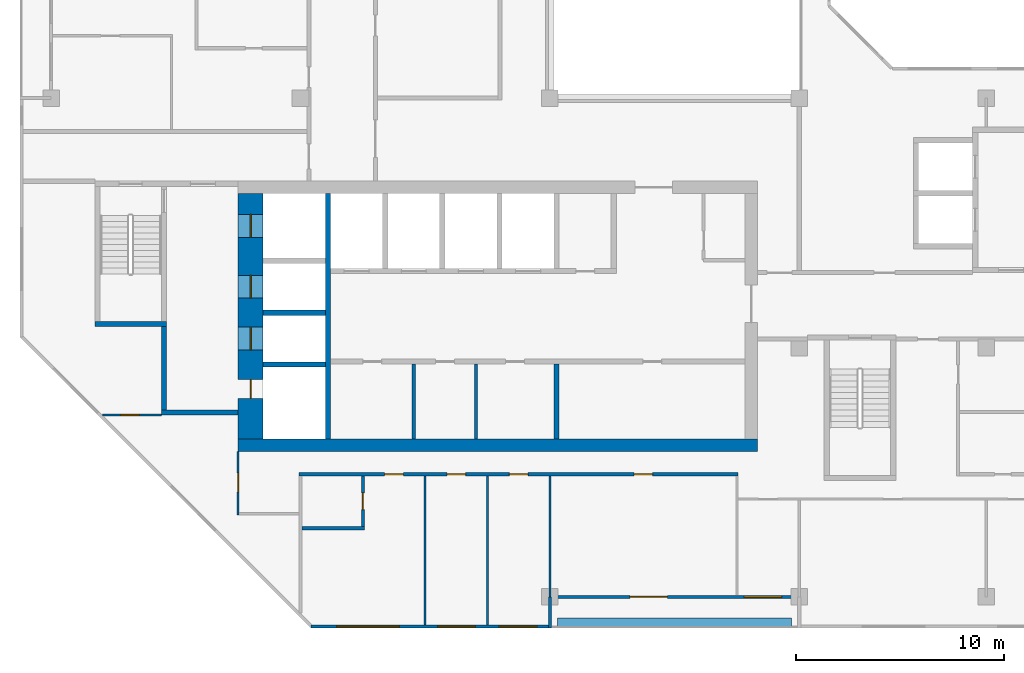
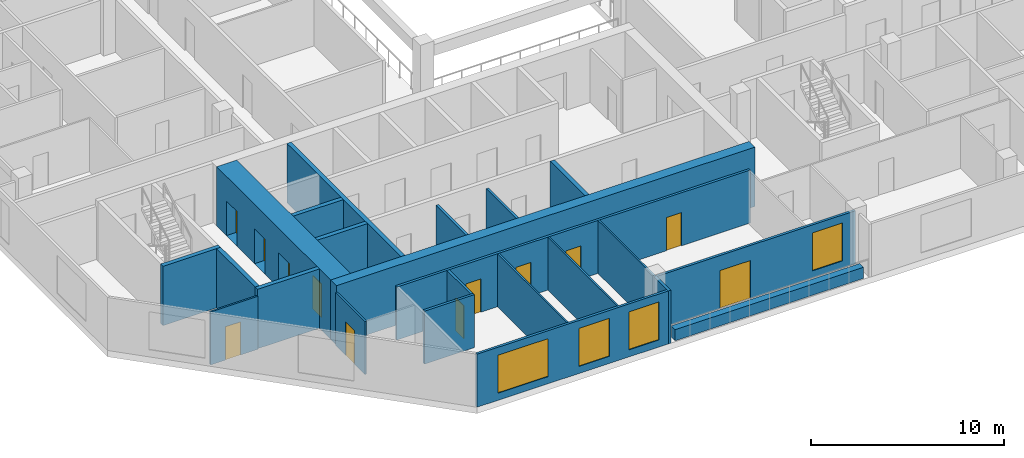
# One storey, part 4 of 13: 23 walls, 12 doors, 4 windows, 16 openings.
"""IFC4 building model written with IfcOpenShell, lengths in metres."""

from ifc_helpers import new_model, si_unit, direction, frame, frame_2d, origin, place, context, subcontext, project, spatial, rectangle, extrude, material, layer, layer_set, type_object, element, fill, save


model = new_model("IFC4")

# Units and contexts
model_context = context("Model", 3, precision=1e-05, world=origin(), true_north=direction((0.0, 1.0)))
body_context = subcontext(model_context, "Body", "Model", "MODEL_VIEW")
ifc_project = project(units=[si_unit("LENGTHUNIT", "METRE"), si_unit("AREAUNIT", "SQUARE_METRE"), si_unit("VOLUMEUNIT", "CUBIC_METRE"), si_unit("PLANEANGLEUNIT", "RADIAN"), si_unit("MASSUNIT", "GRAM", prefix="KILO")], contexts=[model_context])

# Site, building, storey
site_placement = place(None, origin())
site = spatial("IfcSite", under=ifc_project, at=site_placement, CompositionType="ELEMENT")
building_placement = place(site_placement, origin())
building = spatial("IfcBuilding", under=site, at=building_placement, Name="Chenar Terraces", CompositionType="ELEMENT")
storey_placement = place(building_placement, frame((0.0, 0.0, 307.14990234375)))
storey = spatial("IfcBuildingStorey", under=building, at=storey_placement, Name="L72", CompositionType="ELEMENT", Elevation=307.14990234375)

# Walls
ifc_material_1 = material(Name="Gypsum board on steel studs", Category="steel")
ifc_layer_1 = layer(ifc_material_1, 0.14990234375)
ifc_layer_set_1 = layer_set([ifc_layer_1], Name="Gypsum board on steel studs")
wall_type_1 = type_object("IfcWallType", Name="Core partition 150 gypsum board", PredefinedType="PARTITIONING", material=ifc_layer_set_1)
for number, where, z_axis, x_axis, name in (
    (1, (17.449951171875, 7.60009765625, 0.0), (0.0, 0.0, 1.0), (0.0, 1.0, 0.0), "Core partition CP1 freed bay wall"),
    (2, (20.449951171875, 7.60009765625, 0.0), (0.0, 0.0, 1.0), (0.0, 1.0, 0.0), "Core partition CP1 freed bay wall"),
):
    element("IfcWall", number, at=place(storey_placement, frame(where, z_axis=z_axis, x_axis=x_axis)), inside=storey, type_object=wall_type_1, Name=name, PredefinedType="PARTITIONING", context=body_context, shape_type="SweptSolid", body=[
        extrude(rectangle(XDim=3.599853515625, YDim=0.14990234375, at=frame_2d((1.7998046875, 0.0))), origin(), (0.0, 0.0, 1.0), 3.35009765625),
    ])

# Wall, openings, doors
ifc_material_2 = material(Name="Concrete C50/60", Category="concrete")
ifc_layer_2 = layer(ifc_material_2, 1.199951171875)
ifc_layer_set_2 = layer_set([ifc_layer_2], Name="Concrete C50/60")
wall_type_2 = type_object("IfcWallType", Name="Core wall 1200 Concrete C50/60", PredefinedType="SHEAR", material=ifc_layer_set_2)
wall_1_placement = place(storey_placement, frame((9.60009765625, 7.60009765625, 0.0), z_axis=(0.0, 0.0, 1.0), x_axis=(0.0, 1.0, 0.0)))
wall_1 = element("IfcWall", 3, at=wall_1_placement, inside=storey, type_object=wall_type_2, Name="Core wall W L72", PredefinedType="SHEAR", context=body_context, shape_type="SweptSolid", body=[
    extrude(rectangle(XDim=11.7998046875, YDim=1.199951171875, at=frame_2d((5.89990234375, 0.0))), origin(), (0.0, 0.0, 1.0), 3.75),
])
opening_1_placement = place(wall_1_placement, frame((4.27490234375, 0.0, 0.0)))
opening_1 = element("IfcOpeningElement", 4, at=opening_1_placement, cuts=wall_1, Name="Opening DL72-LD5", PredefinedType="OPENING", context=body_context, shape_type="SweptSolid", body=[
    extrude(rectangle(XDim=1.10009765625, YDim=2.199951171875, at=frame_2d((0.550048828125, 1.10009765625))), frame((0.0, 0.60986328125, 0.0), z_axis=(0.0, -1.0, 0.0), x_axis=(1.0, 0.0, 0.0)), (0.0, 0.0, 1.0), 1.219970703125),
])
opening_2_placement = place(wall_1_placement, frame((6.77490234375, 0.0, 0.0)))
opening_2 = element("IfcOpeningElement", 5, at=opening_2_placement, cuts=wall_1, Name="Opening DL72-LD6", PredefinedType="OPENING", context=body_context, shape_type="SweptSolid", body=[
    extrude(rectangle(XDim=1.10009765625, YDim=2.199951171875, at=frame_2d((0.550048828125, 1.10009765625))), frame((0.0, 0.60986328125, 0.0), z_axis=(0.0, -1.0, 0.0), x_axis=(1.0, 0.0, 0.0)), (0.0, 0.0, 1.0), 1.219970703125),
])
opening_3_placement = place(wall_1_placement, frame((9.699951171875, 0.0, 0.0)))
opening_3 = element("IfcOpeningElement", 6, at=opening_3_placement, cuts=wall_1, Name="Opening DL72-LD7", PredefinedType="OPENING", context=body_context, shape_type="SweptSolid", body=[
    extrude(rectangle(XDim=1.10009765625, YDim=2.199951171875, at=frame_2d((0.550048828125, 1.10009765625))), frame((0.0, 0.60986328125, 0.0), z_axis=(0.0, -1.0, 0.0), x_axis=(1.0, 0.0, 0.0)), (0.0, 0.0, 1.0), 1.219970703125),
])
opening_4_placement = place(wall_1_placement, frame((1.949951171875, 0.0, 0.0)))
opening_4 = element("IfcOpeningElement", 7, at=opening_4_placement, cuts=wall_1, Name="Opening DL72-C4", PredefinedType="OPENING", context=body_context, shape_type="SweptSolid", body=[
    extrude(rectangle(XDim=0.89990234375, YDim=2.10009765625, at=frame_2d((0.449951171875, 1.050048828125))), frame((0.0, 0.60986328125, 0.0), z_axis=(0.0, -1.0, 0.0), x_axis=(1.0, 0.0, 0.0)), (0.0, 0.0, 1.0), 1.219970703125),
])
ifc_material_3 = material(Name="Stainless steel", Category="steel")
door_type_1 = type_object("IfcDoorType", Name="Lift landing door 1100 x 2200 sliding", OperationType="DOUBLE_DOOR_SLIDING", PredefinedType="DOOR", material=ifc_material_3)
door_1_placement = place(opening_1_placement, origin())
door_1 = element("IfcDoor", 8, at=door_1_placement, inside=storey, type_object=door_type_1, Name="Landing door S1", OperationType="DOUBLE_DOOR_SLIDING", OverallHeight=2.199951171875, OverallWidth=1.10009765625, PredefinedType="DOOR", context=body_context, shape_type="SweptSolid", body=[
    extrude(rectangle(XDim=1.10009765625, YDim=2.199951171875, at=frame_2d((0.550048828125, 1.10009765625))), frame((0.0, 0.02490234375, 0.0), z_axis=(0.0, -1.0, 0.0), x_axis=(1.0, 0.0, 0.0)), (0.0, 0.0, 1.0), 0.050048828125),
])
fill(opening_1, door_1)
door_2_placement = place(opening_2_placement, origin())
door_2 = element("IfcDoor", 9, at=door_2_placement, inside=storey, type_object=door_type_1, Name="Landing door F1", OperationType="DOUBLE_DOOR_SLIDING", OverallHeight=2.199951171875, OverallWidth=1.10009765625, PredefinedType="DOOR", context=body_context, shape_type="SweptSolid", body=[
    extrude(rectangle(XDim=1.10009765625, YDim=2.199951171875, at=frame_2d((0.550048828125, 1.10009765625))), frame((0.0, 0.02490234375, 0.0), z_axis=(0.0, -1.0, 0.0), x_axis=(1.0, 0.0, 0.0)), (0.0, 0.0, 1.0), 0.050048828125),
])
fill(opening_2, door_2)
door_3_placement = place(opening_3_placement, origin())
door_3 = element("IfcDoor", 10, at=door_3_placement, inside=storey, type_object=door_type_1, Name="Landing door F2", OperationType="DOUBLE_DOOR_SLIDING", OverallHeight=2.199951171875, OverallWidth=1.10009765625, PredefinedType="DOOR", context=body_context, shape_type="SweptSolid", body=[
    extrude(rectangle(XDim=1.10009765625, YDim=2.199951171875, at=frame_2d((0.550048828125, 1.10009765625))), frame((0.0, 0.02490234375, 0.0), z_axis=(0.0, -1.0, 0.0), x_axis=(1.0, 0.0, 0.0)), (0.0, 0.0, 1.0), 0.050048828125),
])
fill(opening_3, door_3)
ifc_material_4 = material(Name="Steel-framed fire-resisting door leaf", Category="steel")
door_type_2 = type_object("IfcDoorType", Name="Riser fire door FD60 900 x 2100", OperationType="SINGLE_SWING_LEFT", PredefinedType="DOOR", material=ifc_material_4)
door_4_placement = place(opening_4_placement, frame((0.89990234375, 0.0, 0.0), z_axis=(0.0, 0.0, 1.0), x_axis=(-1.0, 0.0, 0.0)))
door_4 = element("IfcDoor", 11, at=door_4_placement, inside=storey, type_object=door_type_2, Name="Riser door DL72-C4", OperationType="SINGLE_SWING_LEFT", OverallHeight=2.10009765625, OverallWidth=0.89990234375, PredefinedType="DOOR", context=body_context, shape_type="SweptSolid", body=[
    extrude(rectangle(XDim=0.89990234375, YDim=2.10009765625, at=frame_2d((0.449951171875, 1.050048828125))), frame((0.0, 0.02490234375, 0.0), z_axis=(0.0, -1.0, 0.0), x_axis=(1.0, 0.0, 0.0)), (0.0, 0.0, 1.0), 0.050048828125),
])
fill(opening_4, door_4)

# Walls
ifc_material_5 = material(Name="Concrete C50/60", Category="concrete")
ifc_layer_3 = layer(ifc_material_5, 0.25)
ifc_layer_set_3 = layer_set([ifc_layer_3], Name="Concrete C50/60")
wall_type_3 = type_object("IfcWallType", Name="Core wall 250 Concrete C50/60", PredefinedType="SHEAR", material=ifc_layer_set_3)
wall_2_placement = place(storey_placement, frame((13.324951171875, 7.60009765625, 0.0), z_axis=(0.0, 0.0, 1.0), x_axis=(0.0, 1.0, 0.0)))
element("IfcWall", 12, at=wall_2_placement, inside=storey, type_object=wall_type_3, Name="Core wall WI L72", PredefinedType="SHEAR", context=body_context, shape_type="SweptSolid", body=[
    extrude(rectangle(XDim=11.7998046875, YDim=0.25, at=frame_2d((5.89990234375, 0.0))), origin(), (0.0, 0.0, 1.0), 3.75),
])
for number, where, z_axis, x_axis, name in (
    (13, (10.199951171875, 11.175048828125, 0.0), (0.0, 0.0, 1.0), (1.0, 0.0, 0.0), "Core wall HW0 L72"),
    (14, (10.199951171875, 13.675048828125, 0.0), (0.0, 0.0, 1.0), (1.0, 0.0, 0.0), "Core wall HW1 L72"),
):
    element("IfcWall", number, at=place(storey_placement, frame(where, z_axis=z_axis, x_axis=x_axis)), inside=storey, type_object=wall_type_3, Name=name, PredefinedType="SHEAR", context=body_context, shape_type="SweptSolid", body=[
        extrude(rectangle(XDim=3.0, YDim=0.25, at=frame_2d((1.5, 0.0))), origin(), (0.0, 0.0, 1.0), 3.75),
    ])
wall_3_placement = place(storey_placement, frame((24.324951171875, 7.60009765625, 0.0), z_axis=(0.0, 0.0, 1.0), x_axis=(0.0, 1.0, 0.0)))
element("IfcWall", 15, at=wall_3_placement, inside=storey, type_object=wall_type_3, Name="Core wall SS3 L72", PredefinedType="SHEAR", context=body_context, shape_type="SweptSolid", body=[
    extrude(rectangle(XDim=3.599853515625, YDim=0.25, at=frame_2d((1.7998046875, 0.0))), origin(), (0.0, 0.0, 1.0), 3.75),
])
wall_4_placement = place(storey_placement, frame((2.10009765625, 13.125, 0.0), z_axis=(0.0, 0.0, 1.0), x_axis=(1.0, 0.0, 0.0)))
element("IfcWall", 16, at=wall_4_placement, inside=storey, type_object=wall_type_3, Name="Core wall ST1_S L72", PredefinedType="SHEAR", context=body_context, shape_type="SweptSolid", body=[
    extrude(rectangle(XDim=3.449951171875, YDim=0.25, at=frame_2d((1.72509765625, 0.0))), origin(), (0.0, 0.0, 1.0), 3.75),
])
wall_5_placement = place(storey_placement, frame((5.300048828125, 8.875, 0.0), z_axis=(0.0, 0.0, 1.0), x_axis=(1.0, 0.0, 0.0)))
element("IfcWall", 17, at=wall_5_placement, inside=storey, type_object=wall_type_3, Name="Core wall FFL_S L72", PredefinedType="SHEAR", context=body_context, shape_type="SweptSolid", body=[
    extrude(rectangle(XDim=3.699951171875, YDim=0.25, at=frame_2d((1.85009765625, 0.0))), origin(), (0.0, 0.0, 1.0), 3.75),
])
wall_6_placement = place(storey_placement, frame((5.425048828125, 9.0, 0.0), z_axis=(0.0, 0.0, 1.0), x_axis=(0.0, 1.0, 0.0)))
element("IfcWall", 18, at=wall_6_placement, inside=storey, type_object=wall_type_3, Name="Core wall FFL_W L72", PredefinedType="SHEAR", context=body_context, shape_type="SweptSolid", body=[
    extrude(rectangle(XDim=4.0, YDim=0.25, at=frame_2d((2.0, 0.0))), origin(), (0.0, 0.0, 1.0), 3.75),
])
ifc_material_6 = material(Name="Concrete C50/60", Category="concrete")
ifc_layer_4 = layer(ifc_material_6, 0.60009765625)
ifc_layer_set_4 = layer_set([ifc_layer_4], Name="Concrete C50/60")
wall_type_4 = type_object("IfcWallType", Name="Core wall 600 Concrete C50/60", PredefinedType="SHEAR", material=ifc_layer_set_4)
wall_7_placement = place(storey_placement, frame((9.0, 7.300048828125, 0.0), z_axis=(0.0, 0.0, 1.0), x_axis=(1.0, 0.0, 0.0)))
element("IfcWall", 19, at=wall_7_placement, inside=storey, type_object=wall_type_4, Name="Core wall S L72", PredefinedType="SHEAR", context=body_context, shape_type="SweptSolid", body=[
    extrude(rectangle(XDim=25.0, YDim=0.60009765625, at=frame_2d((12.5, 0.0))), origin(), (0.0, 0.0, 1.0), 3.75),
])

# Wall, openings, windows
ifc_material_7 = material(Name="Aluminium framed glazing", Category="aluminium")
ifc_layer_5 = layer(ifc_material_7, 0.14990234375)
ifc_layer_set_5 = layer_set([ifc_layer_5], Name="Aluminium framed glazing")
wall_type_5 = type_object("IfcWallType", Name="Glazed flush facade wall 150", PredefinedType="SOLIDWALL", material=ifc_layer_set_5)
wall_8_placement = place(storey_placement, frame((12.5, -1.425048828125, 0.0), z_axis=(0.0, 0.0, 1.0), x_axis=(1.0, 0.0, 0.0)))
wall_8 = element("IfcWall", 20, at=wall_8_placement, inside=storey, type_object=wall_type_5, Name="Glazed flush facade wall", PredefinedType="SOLIDWALL", context=body_context, shape_type="SweptSolid", body=[
    extrude(rectangle(XDim=11.425048828125, YDim=0.14990234375, at=frame_2d((5.71240234375, 0.0))), origin(), (0.0, 0.0, 1.0), 3.35009765625),
])
opening_5_placement = place(wall_8_placement, frame((1.25, 0.0, 0.449951171875)))
opening_5 = element("IfcOpeningElement", 21, at=opening_5_placement, cuts=wall_8, Name="Opening W300x240", PredefinedType="OPENING", context=body_context, shape_type="SweptSolid", body=[
    extrude(rectangle(XDim=3.0, YDim=2.39990234375, at=frame_2d((1.5, 1.199951171875))), frame((0.0, 0.0849609375, 0.0), z_axis=(0.0, -1.0, 0.0), x_axis=(1.0, 0.0, 0.0)), (0.0, 0.0, 1.0), 0.169921875),
])
opening_6_placement = place(wall_8_placement, frame((6.10009765625, 0.0, 0.449951171875)))
opening_6 = element("IfcOpeningElement", 22, at=opening_6_placement, cuts=wall_8, Name="Opening W180x240", PredefinedType="OPENING", context=body_context, shape_type="SweptSolid", body=[
    extrude(rectangle(XDim=1.800048828125, YDim=2.39990234375, at=frame_2d((0.89990234375, 1.199951171875))), frame((0.0, 0.0849609375, 0.0), z_axis=(0.0, -1.0, 0.0), x_axis=(1.0, 0.0, 0.0)), (0.0, 0.0, 1.0), 0.169921875),
])
opening_7_placement = place(wall_8_placement, frame((9.0625, 0.0, 0.449951171875)))
opening_7 = element("IfcOpeningElement", 23, at=opening_7_placement, cuts=wall_8, Name="Opening W180x240", PredefinedType="OPENING", context=body_context, shape_type="SweptSolid", body=[
    extrude(rectangle(XDim=1.800048828125, YDim=2.39990234375, at=frame_2d((0.89990234375, 1.199951171875))), frame((0.0, 0.0849609375, 0.0), z_axis=(0.0, -1.0, 0.0), x_axis=(1.0, 0.0, 0.0)), (0.0, 0.0, 1.0), 0.169921875),
])
ifc_material_8 = material(Name="Low emissivity double glazing, aluminium frame", Category="aluminium")
window_type_1 = type_object("IfcWindowType", Name="Fixed light 1800 x 2400", PartitioningType="SINGLE_PANEL", PredefinedType="WINDOW", material=ifc_material_8)
window_1_placement = place(opening_6_placement, origin())
window_1 = element("IfcWindow", 24, at=window_1_placement, inside=storey, type_object=window_type_1, Name="Window", OverallHeight=2.39990234375, OverallWidth=1.800048828125, PartitioningType="SINGLE_PANEL", PredefinedType="WINDOW", context=body_context, shape_type="SweptSolid", body=[
    extrude(rectangle(XDim=1.800048828125, YDim=2.39990234375, at=frame_2d((0.89990234375, 1.199951171875))), frame((0.0, 0.030029296875, 0.0), z_axis=(0.0, -1.0, 0.0), x_axis=(1.0, 0.0, 0.0)), (0.0, 0.0, 1.0), 0.06005859375),
])
fill(opening_6, window_1)
window_2_placement = place(opening_7_placement, origin())
window_2 = element("IfcWindow", 25, at=window_2_placement, inside=storey, type_object=window_type_1, Name="Window", OverallHeight=2.39990234375, OverallWidth=1.800048828125, PartitioningType="SINGLE_PANEL", PredefinedType="WINDOW", context=body_context, shape_type="SweptSolid", body=[
    extrude(rectangle(XDim=1.800048828125, YDim=2.39990234375, at=frame_2d((0.89990234375, 1.199951171875))), frame((0.0, 0.030029296875, 0.0), z_axis=(0.0, -1.0, 0.0), x_axis=(1.0, 0.0, 0.0)), (0.0, 0.0, 1.0), 0.06005859375),
])
fill(opening_7, window_2)
ifc_material_9 = material(Name="Low emissivity double glazing, aluminium frame", Category="aluminium")
window_type_2 = type_object("IfcWindowType", Name="Fixed light 3000 x 2400", PartitioningType="SINGLE_PANEL", PredefinedType="WINDOW", material=ifc_material_9)
window_3_placement = place(opening_5_placement, origin())
window_3 = element("IfcWindow", 26, at=window_3_placement, inside=storey, type_object=window_type_2, Name="Window", OverallHeight=2.39990234375, OverallWidth=3.0, PartitioningType="SINGLE_PANEL", PredefinedType="WINDOW", context=body_context, shape_type="SweptSolid", body=[
    extrude(rectangle(XDim=3.0, YDim=2.39990234375, at=frame_2d((1.5, 1.199951171875))), frame((0.0, 0.030029296875, 0.0), z_axis=(0.0, -1.0, 0.0), x_axis=(1.0, 0.0, 0.0)), (0.0, 0.0, 1.0), 0.06005859375),
])
fill(opening_5, window_3)

# Wall, openings, window, door
ifc_material_10 = material(Name="Aluminium framed glazing", Category="aluminium")
ifc_layer_6 = layer(ifc_material_10, 0.14990234375)
ifc_layer_set_6 = layer_set([ifc_layer_6], Name="Aluminium framed glazing")
wall_type_6 = type_object("IfcWallType", Name="Glazed loggia back wall 150", PredefinedType="SOLIDWALL", material=ifc_layer_set_6)
wall_9_placement = place(storey_placement, frame((24.074951171875, 0.0, 0.0), z_axis=(0.0, 0.0, 1.0), x_axis=(1.0, 0.0, 0.0)))
wall_9 = element("IfcWall", 27, at=wall_9_placement, inside=storey, type_object=wall_type_6, Name="Glazed loggia back wall", PredefinedType="SOLIDWALL", context=body_context, shape_type="SweptSolid", body=[
    extrude(rectangle(XDim=11.85009765625, YDim=0.14990234375, at=frame_2d((5.925048828125, 0.0))), origin(), (0.0, 0.0, 1.0), 3.35009765625),
])
opening_8_placement = place(wall_9_placement, frame((3.77490234375, 0.0, 0.0)))
opening_8 = element("IfcOpeningElement", 28, at=opening_8_placement, cuts=wall_9, Name="Opening DL72-G5", PredefinedType="OPENING", context=body_context, shape_type="SweptSolid", body=[
    extrude(rectangle(XDim=1.800048828125, YDim=2.39990234375, at=frame_2d((0.89990234375, 1.199951171875))), frame((0.0, 0.0849609375, 0.0), z_axis=(0.0, -1.0, 0.0), x_axis=(1.0, 0.0, 0.0)), (0.0, 0.0, 1.0), 0.169921875),
])
opening_9_placement = place(wall_9_placement, frame((9.27490234375, 0.0, 0.449951171875)))
opening_9 = element("IfcOpeningElement", 29, at=opening_9_placement, cuts=wall_9, Name="Opening W180x240", PredefinedType="OPENING", context=body_context, shape_type="SweptSolid", body=[
    extrude(rectangle(XDim=1.800048828125, YDim=2.39990234375, at=frame_2d((0.89990234375, 1.199951171875))), frame((0.0, 0.0849609375, 0.0), z_axis=(0.0, -1.0, 0.0), x_axis=(1.0, 0.0, 0.0)), (0.0, 0.0, 1.0), 0.169921875),
])
window_4_placement = place(opening_9_placement, origin())
window_4 = element("IfcWindow", 30, at=window_4_placement, inside=storey, type_object=window_type_1, Name="Window", OverallHeight=2.39990234375, OverallWidth=1.800048828125, PartitioningType="SINGLE_PANEL", PredefinedType="WINDOW", context=body_context, shape_type="SweptSolid", body=[
    extrude(rectangle(XDim=1.800048828125, YDim=2.39990234375, at=frame_2d((0.89990234375, 1.199951171875))), frame((0.0, 0.030029296875, 0.0), z_axis=(0.0, -1.0, 0.0), x_axis=(1.0, 0.0, 0.0)), (0.0, 0.0, 1.0), 0.06005859375),
])
fill(opening_9, window_4)
ifc_material_11 = material(Name="Low emissivity double glazing, aluminium frame", Category="aluminium")
door_type_3 = type_object("IfcDoorType", Name="Loggia glazed double door 1800 x 2400", OperationType="DOUBLE_DOOR_SINGLE_SWING", PredefinedType="DOOR", material=ifc_material_11)
door_5_placement = place(opening_8_placement, frame((1.800048828125, 0.0, 0.0), z_axis=(0.0, 0.0, 1.0), x_axis=(-1.0, 0.0, 0.0)))
door_5 = element("IfcDoor", 31, at=door_5_placement, inside=storey, type_object=door_type_3, Name="Loggia glazed door", OperationType="DOUBLE_DOOR_SINGLE_SWING", OverallHeight=2.39990234375, OverallWidth=1.800048828125, PredefinedType="DOOR", context=body_context, shape_type="SweptSolid", body=[
    extrude(rectangle(XDim=1.800048828125, YDim=2.39990234375, at=frame_2d((0.89990234375, 1.199951171875))), frame((0.0, 0.02490234375, 0.0), z_axis=(0.0, -1.0, 0.0), x_axis=(1.0, 0.0, 0.0)), (0.0, 0.0, 1.0), 0.050048828125),
])
fill(opening_8, door_5)

# Wall, opening, door
ifc_material_12 = material(Name="Gypsum board on steel studs", Category="steel")
ifc_layer_7 = layer(ifc_material_12, 0.10009765625)
ifc_layer_set_7 = layer_set([ifc_layer_7], Name="Gypsum board on steel studs")
wall_type_7 = type_object("IfcWallType", Name="Gypsum partition 100", PredefinedType="PARTITIONING", material=ifc_layer_set_7)
wall_10_placement = place(storey_placement, frame((2.4609375, 8.75, 0.0), z_axis=(0.0, 0.0, 1.0), x_axis=(1.0, 0.0, 0.0)))
wall_10 = element("IfcWall", 32, at=wall_10_placement, inside=storey, type_object=wall_type_7, Name="Partition L72-009", PredefinedType="PARTITIONING", context=body_context, shape_type="SweptSolid", body=[
    extrude(rectangle(XDim=2.839111328125, YDim=0.10009765625, at=frame_2d((1.41943359375, 0.0))), origin(), (0.0, 0.0, 1.0), 3.35009765625),
])
opening_10_placement = place(wall_10_placement, frame((0.888916015625, 0.0, 0.0)))
opening_10 = element("IfcOpeningElement", 33, at=opening_10_placement, cuts=wall_10, Name="Opening DL72-40", PredefinedType="OPENING", context=body_context, shape_type="SweptSolid", body=[
    extrude(rectangle(XDim=0.89990234375, YDim=2.10009765625, at=frame_2d((0.449951171875, 1.050048828125))), frame((0.0, 0.06005859375, 0.0), z_axis=(0.0, -1.0, 0.0), x_axis=(1.0, 0.0, 0.0)), (0.0, 0.0, 1.0), 0.1201171875),
])
ifc_material_13 = material(Name="Veneered timber door leaf", Category="wood")
door_type_4 = type_object("IfcDoorType", Name="Door 900 x 2100", OperationType="SINGLE_SWING_LEFT", PredefinedType="DOOR", material=ifc_material_13)
door_6_placement = place(opening_10_placement, frame((0.89990234375, 0.0, 0.0), z_axis=(0.0, 0.0, 1.0), x_axis=(-1.0, 0.0, 0.0)))
door_6 = element("IfcDoor", 34, at=door_6_placement, inside=storey, type_object=door_type_4, Name="Door DL72-40", OperationType="SINGLE_SWING_RIGHT", OverallHeight=2.10009765625, OverallWidth=0.89990234375, PredefinedType="DOOR", context=body_context, shape_type="SweptSolid", body=[
    extrude(rectangle(XDim=0.89990234375, YDim=2.10009765625, at=frame_2d((0.449951171875, 1.050048828125))), frame((0.0, 0.02490234375, 0.0), z_axis=(0.0, -1.0, 0.0), x_axis=(1.0, 0.0, 0.0)), (0.0, 0.0, 1.0), 0.050048828125),
])
fill(opening_10, door_6)

wall_11_placement = place(storey_placement, frame((9.0, 3.949951171875, 0.0), z_axis=(0.0, 0.0, 1.0), x_axis=(0.0, 1.0, 0.0)))
wall_11 = element("IfcWall", 35, at=wall_11_placement, inside=storey, type_object=wall_type_7, Name="Partition L72-026", PredefinedType="PARTITIONING", context=body_context, shape_type="SweptSolid", body=[
    extrude(rectangle(XDim=3.050048828125, YDim=0.10009765625, at=frame_2d((1.52490234375, 0.0))), origin(), (0.0, 0.0, 1.0), 3.35009765625),
])
opening_11_placement = place(wall_11_placement, frame((1.10009765625, 0.0, 0.0)))
opening_11 = element("IfcOpeningElement", 36, at=opening_11_placement, cuts=wall_11, Name="Opening DL72-39", PredefinedType="OPENING", context=body_context, shape_type="SweptSolid", body=[
    extrude(rectangle(XDim=0.89990234375, YDim=2.10009765625, at=frame_2d((0.449951171875, 1.050048828125))), frame((0.0, 0.06005859375, 0.0), z_axis=(0.0, -1.0, 0.0), x_axis=(1.0, 0.0, 0.0)), (0.0, 0.0, 1.0), 0.1201171875),
])
door_7_placement = place(opening_11_placement, origin())
door_7 = element("IfcDoor", 37, at=door_7_placement, inside=storey, type_object=door_type_4, Name="Door DL72-39", OperationType="SINGLE_SWING_LEFT", OverallHeight=2.10009765625, OverallWidth=0.89990234375, PredefinedType="DOOR", context=body_context, shape_type="SweptSolid", body=[
    extrude(rectangle(XDim=0.89990234375, YDim=2.10009765625, at=frame_2d((0.449951171875, 1.050048828125))), frame((0.0, 0.02490234375, 0.0), z_axis=(0.0, -1.0, 0.0), x_axis=(1.0, 0.0, 0.0)), (0.0, 0.0, 1.0), 0.050048828125),
])
fill(opening_11, door_7)

# Walls
for number, where, z_axis, x_axis, name in (
    (38, (18.0, -1.35107421875, 0.0), (0.0, 0.0, 1.0), (0.0, 1.0, 0.0), "Partition L72-041"),
    (39, (21.0, -1.35107421875, 0.0), (0.0, 0.0, 1.0), (0.0, 1.0, 0.0), "Partition L72-046"),
):
    element("IfcWall", number, at=place(storey_placement, frame(where, z_axis=z_axis, x_axis=x_axis)), inside=storey, type_object=wall_type_7, Name=name, PredefinedType="PARTITIONING", context=body_context, shape_type="SweptSolid", body=[
        extrude(rectangle(XDim=7.176025390625, YDim=0.10009765625, at=frame_2d((3.587890625, 0.0))), origin(), (0.0, 0.0, 1.0), 3.35009765625),
    ])
wall_12_placement = place(storey_placement, frame((24.0, 0.0, 0.0), z_axis=(0.0, 0.0, 1.0), x_axis=(0.0, 1.0, 0.0)))
element("IfcWall", 40, at=wall_12_placement, inside=storey, type_object=wall_type_7, Name="Partition L72-048", PredefinedType="PARTITIONING", context=body_context, shape_type="SweptSolid", body=[
    extrude(rectangle(XDim=5.824951171875, YDim=0.10009765625, at=frame_2d((2.91259765625, 0.0))), origin(), (0.0, 0.0, 1.0), 3.35009765625),
])
ifc_material_14 = material(Name="Terracotta cladding on insulated backing", Category="masonry")
ifc_layer_8 = layer(ifc_material_14, 0.14990234375)
ifc_layer_set_8 = layer_set([ifc_layer_8], Name="Terracotta cladding on insulated backing")
wall_type_8 = type_object("IfcWallType", Name="Loggia return wall 150", PredefinedType="SOLIDWALL", material=ifc_layer_set_8)
wall_13_placement = place(storey_placement, frame((24.0, -1.5, 0.0), z_axis=(0.0, 0.0, 1.0), x_axis=(0.0, 1.0, 0.0)))
element("IfcWall", 41, at=wall_13_placement, inside=storey, type_object=wall_type_8, Name="Loggia return wall", PredefinedType="SOLIDWALL", context=body_context, shape_type="SweptSolid", body=[
    extrude(rectangle(XDim=1.5, YDim=0.14990234375, at=frame_2d((0.75, 0.0))), origin(), (0.0, 0.0, 1.0), 3.35009765625),
])
ifc_material_15 = material(Name="GRP planter trough")
ifc_layer_9 = layer(ifc_material_15, 0.39990234375)
ifc_layer_set_9 = layer_set([ifc_layer_9], Name="GRP planter trough")
wall_type_9 = type_object("IfcWallType", Name="Vertical greenery planter 400", PredefinedType="SOLIDWALL", material=ifc_layer_set_9)
wall_14_placement = place(storey_placement, frame((24.375, -1.22900390625, 0.0), z_axis=(0.0, 0.0, 1.0), x_axis=(1.0, 0.0, 0.0)))
element("IfcWall", 42, at=wall_14_placement, inside=storey, type_object=wall_type_9, Name="Vertical greenery planter", PredefinedType="SOLIDWALL", context=body_context, shape_type="SweptSolid", body=[
    extrude(rectangle(XDim=11.25, YDim=0.39990234375, at=frame_2d((5.625, 0.0))), origin(), (0.0, 0.0, 1.0), 0.7001953125),
])

# Wall, openings, doors
ifc_material_16 = material(Name="Moisture-resistant gypsum board on steel studs", Category="steel")
ifc_layer_10 = layer(ifc_material_16, 0.14990234375)
ifc_layer_set_10 = layer_set([ifc_layer_10], Name="Moisture-resistant gypsum board on steel studs")
wall_type_10 = type_object("IfcWallType", Name="Wet-room partition 150", PredefinedType="PARTITIONING", material=ifc_layer_set_10)
wall_15_placement = place(storey_placement, frame((11.925048828125, 5.89990234375, 0.0), z_axis=(0.0, 0.0, 1.0), x_axis=(1.0, 0.0, 0.0)))
wall_15 = element("IfcWall", 43, at=wall_15_placement, inside=storey, type_object=wall_type_10, Name="Partition L72-028", PredefinedType="PARTITIONING", context=body_context, shape_type="SweptSolid", body=[
    extrude(rectangle(XDim=21.125, YDim=0.14990234375, at=frame_2d((10.5625, 0.0))), origin(), (0.0, 0.0, 1.0), 3.35009765625),
])
opening_12_placement = place(wall_15_placement, frame((7.125, 0.0, 0.0)))
opening_12 = element("IfcOpeningElement", 44, at=opening_12_placement, cuts=wall_15, Name="Opening DL72-35", PredefinedType="OPENING", context=body_context, shape_type="SweptSolid", body=[
    extrude(rectangle(XDim=0.89990234375, YDim=2.10009765625, at=frame_2d((0.449951171875, 1.050048828125))), frame((0.0, 0.0849609375, 0.0), z_axis=(0.0, -1.0, 0.0), x_axis=(1.0, 0.0, 0.0)), (0.0, 0.0, 1.0), 0.169921875),
])
opening_13_placement = place(wall_15_placement, frame((10.125, 0.0, 0.0)))
opening_13 = element("IfcOpeningElement", 45, at=opening_13_placement, cuts=wall_15, Name="Opening DL72-36", PredefinedType="OPENING", context=body_context, shape_type="SweptSolid", body=[
    extrude(rectangle(XDim=0.89990234375, YDim=2.10009765625, at=frame_2d((0.449951171875, 1.050048828125))), frame((0.0, 0.0849609375, 0.0), z_axis=(0.0, -1.0, 0.0), x_axis=(1.0, 0.0, 0.0)), (0.0, 0.0, 1.0), 0.169921875),
])
opening_14_placement = place(wall_15_placement, frame((4.125, 0.0, 0.0)))
opening_14 = element("IfcOpeningElement", 46, at=opening_14_placement, cuts=wall_15, Name="Opening DL72-41", PredefinedType="OPENING", context=body_context, shape_type="SweptSolid", body=[
    extrude(rectangle(XDim=0.89990234375, YDim=2.10009765625, at=frame_2d((0.449951171875, 1.050048828125))), frame((0.0, 0.0849609375, 0.0), z_axis=(0.0, -1.0, 0.0), x_axis=(1.0, 0.0, 0.0)), (0.0, 0.0, 1.0), 0.169921875),
])
opening_15_placement = place(wall_15_placement, frame((16.125, 0.0, 0.0)))
opening_15 = element("IfcOpeningElement", 47, at=opening_15_placement, cuts=wall_15, Name="Opening DL72-45", PredefinedType="OPENING", context=body_context, shape_type="SweptSolid", body=[
    extrude(rectangle(XDim=0.89990234375, YDim=2.10009765625, at=frame_2d((0.449951171875, 1.050048828125))), frame((0.0, 0.0849609375, 0.0), z_axis=(0.0, -1.0, 0.0), x_axis=(1.0, 0.0, 0.0)), (0.0, 0.0, 1.0), 0.169921875),
])
door_8_placement = place(opening_12_placement, frame((0.89990234375, 0.0, 0.0), z_axis=(0.0, 0.0, 1.0), x_axis=(-1.0, 0.0, 0.0)))
door_8 = element("IfcDoor", 48, at=door_8_placement, inside=storey, type_object=door_type_4, Name="Door DL72-35", OperationType="SINGLE_SWING_RIGHT", OverallHeight=2.10009765625, OverallWidth=0.89990234375, PredefinedType="DOOR", context=body_context, shape_type="SweptSolid", body=[
    extrude(rectangle(XDim=0.89990234375, YDim=2.10009765625, at=frame_2d((0.449951171875, 1.050048828125))), frame((0.0, 0.02490234375, 0.0), z_axis=(0.0, -1.0, 0.0), x_axis=(1.0, 0.0, 0.0)), (0.0, 0.0, 1.0), 0.050048828125),
])
fill(opening_12, door_8)
door_9_placement = place(opening_13_placement, frame((0.89990234375, 0.0, 0.0), z_axis=(0.0, 0.0, 1.0), x_axis=(-1.0, 0.0, 0.0)))
door_9 = element("IfcDoor", 49, at=door_9_placement, inside=storey, type_object=door_type_4, Name="Door DL72-36", OperationType="SINGLE_SWING_RIGHT", OverallHeight=2.10009765625, OverallWidth=0.89990234375, PredefinedType="DOOR", context=body_context, shape_type="SweptSolid", body=[
    extrude(rectangle(XDim=0.89990234375, YDim=2.10009765625, at=frame_2d((0.449951171875, 1.050048828125))), frame((0.0, 0.02490234375, 0.0), z_axis=(0.0, -1.0, 0.0), x_axis=(1.0, 0.0, 0.0)), (0.0, 0.0, 1.0), 0.050048828125),
])
fill(opening_13, door_9)
door_10_placement = place(opening_14_placement, frame((0.89990234375, 0.0, 0.0), z_axis=(0.0, 0.0, 1.0), x_axis=(-1.0, 0.0, 0.0)))
door_10 = element("IfcDoor", 50, at=door_10_placement, inside=storey, type_object=door_type_4, Name="Door DL72-41", OperationType="SINGLE_SWING_RIGHT", OverallHeight=2.10009765625, OverallWidth=0.89990234375, PredefinedType="DOOR", context=body_context, shape_type="SweptSolid", body=[
    extrude(rectangle(XDim=0.89990234375, YDim=2.10009765625, at=frame_2d((0.449951171875, 1.050048828125))), frame((0.0, 0.02490234375, 0.0), z_axis=(0.0, -1.0, 0.0), x_axis=(1.0, 0.0, 0.0)), (0.0, 0.0, 1.0), 0.050048828125),
])
fill(opening_14, door_10)
door_11_placement = place(opening_15_placement, frame((0.89990234375, 0.0, 0.0), z_axis=(0.0, 0.0, 1.0), x_axis=(-1.0, 0.0, 0.0)))
door_11 = element("IfcDoor", 51, at=door_11_placement, inside=storey, type_object=door_type_4, Name="Door DL72-45", OperationType="SINGLE_SWING_RIGHT", OverallHeight=2.10009765625, OverallWidth=0.89990234375, PredefinedType="DOOR", context=body_context, shape_type="SweptSolid", body=[
    extrude(rectangle(XDim=0.89990234375, YDim=2.10009765625, at=frame_2d((0.449951171875, 1.050048828125))), frame((0.0, 0.02490234375, 0.0), z_axis=(0.0, -1.0, 0.0), x_axis=(1.0, 0.0, 0.0)), (0.0, 0.0, 1.0), 0.050048828125),
])
fill(opening_15, door_11)

# Wall
wall_16_placement = place(storey_placement, frame((12.074951171875, 3.300048828125, 0.0), z_axis=(0.0, 0.0, 1.0), x_axis=(1.0, 0.0, 0.0)))
element("IfcWall", 52, at=wall_16_placement, inside=storey, type_object=wall_type_10, Name="Partition L72-030", PredefinedType="PARTITIONING", context=body_context, shape_type="SweptSolid", body=[
    extrude(rectangle(XDim=3.0, YDim=0.14990234375, at=frame_2d((1.5, 0.0))), origin(), (0.0, 0.0, 1.0), 3.35009765625),
])

# Wall, opening, door
wall_17_placement = place(storey_placement, frame((15.0, 3.375, 0.0), z_axis=(0.0, 0.0, 1.0), x_axis=(0.0, 1.0, 0.0)))
wall_17 = element("IfcWall", 53, at=wall_17_placement, inside=storey, type_object=wall_type_10, Name="Partition L72-032", PredefinedType="PARTITIONING", context=body_context, shape_type="SweptSolid", body=[
    extrude(rectangle(XDim=2.449951171875, YDim=0.14990234375, at=frame_2d((1.22509765625, 0.0))), origin(), (0.0, 0.0, 1.0), 3.35009765625),
])
opening_16_placement = place(wall_17_placement, frame((0.824951171875, 0.0, 0.0)))
opening_16 = element("IfcOpeningElement", 54, at=opening_16_placement, cuts=wall_17, Name="Opening DL72-42", PredefinedType="OPENING", context=body_context, shape_type="SweptSolid", body=[
    extrude(rectangle(XDim=0.800048828125, YDim=2.10009765625, at=frame_2d((0.39990234375, 1.050048828125))), frame((0.0, 0.0849609375, 0.0), z_axis=(0.0, -1.0, 0.0), x_axis=(1.0, 0.0, 0.0)), (0.0, 0.0, 1.0), 0.169921875),
])
ifc_material_17 = material(Name="Veneered timber door leaf", Category="wood")
door_type_5 = type_object("IfcDoorType", Name="Door 800 x 2100", OperationType="SINGLE_SWING_LEFT", PredefinedType="DOOR", material=ifc_material_17)
door_12_placement = place(opening_16_placement, origin())
door_12 = element("IfcDoor", 55, at=door_12_placement, inside=storey, type_object=door_type_5, Name="Door DL72-42", OperationType="SINGLE_SWING_RIGHT", OverallHeight=2.10009765625, OverallWidth=0.800048828125, PredefinedType="DOOR", context=body_context, shape_type="SweptSolid", body=[
    extrude(rectangle(XDim=0.800048828125, YDim=2.10009765625, at=frame_2d((0.39990234375, 1.050048828125))), frame((0.0, 0.02490234375, 0.0), z_axis=(0.0, -1.0, 0.0), x_axis=(1.0, 0.0, 0.0)), (0.0, 0.0, 1.0), 0.050048828125),
])
fill(opening_16, door_12)

save(model, "model.ifc")
